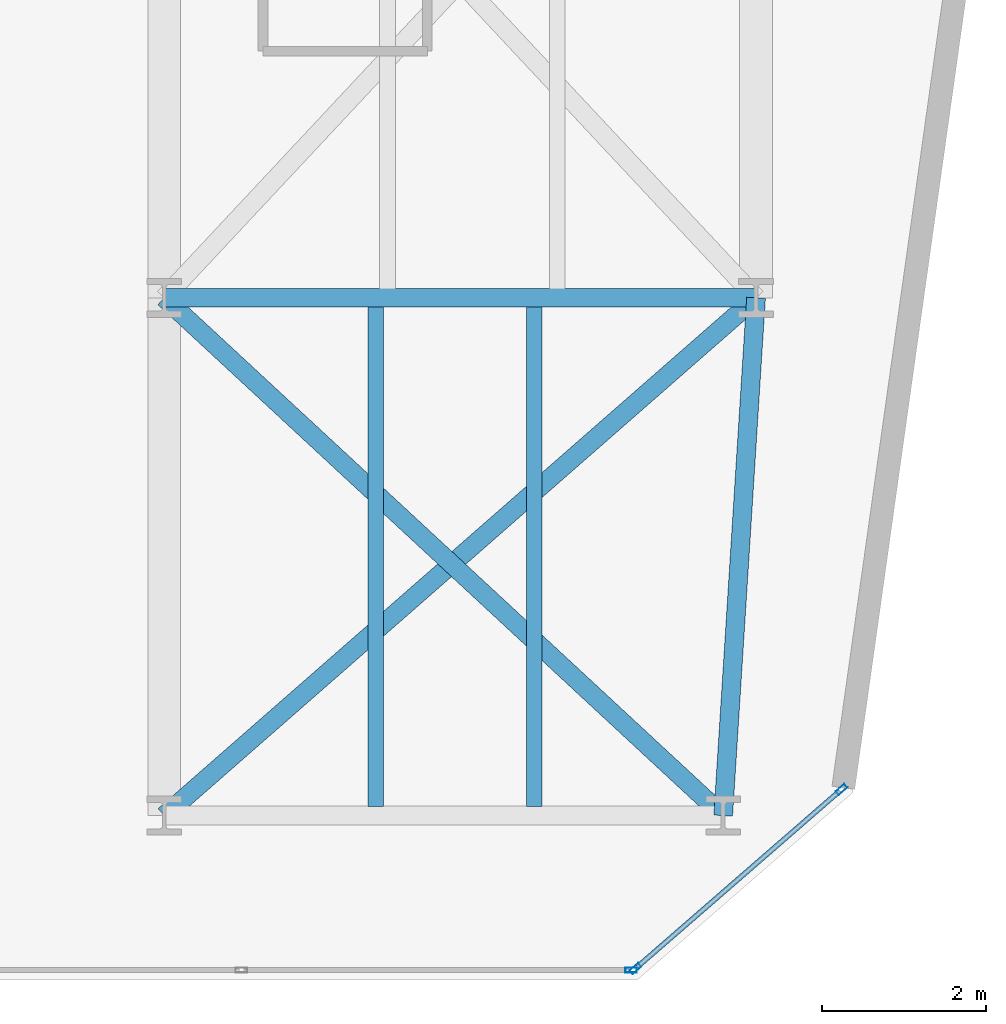
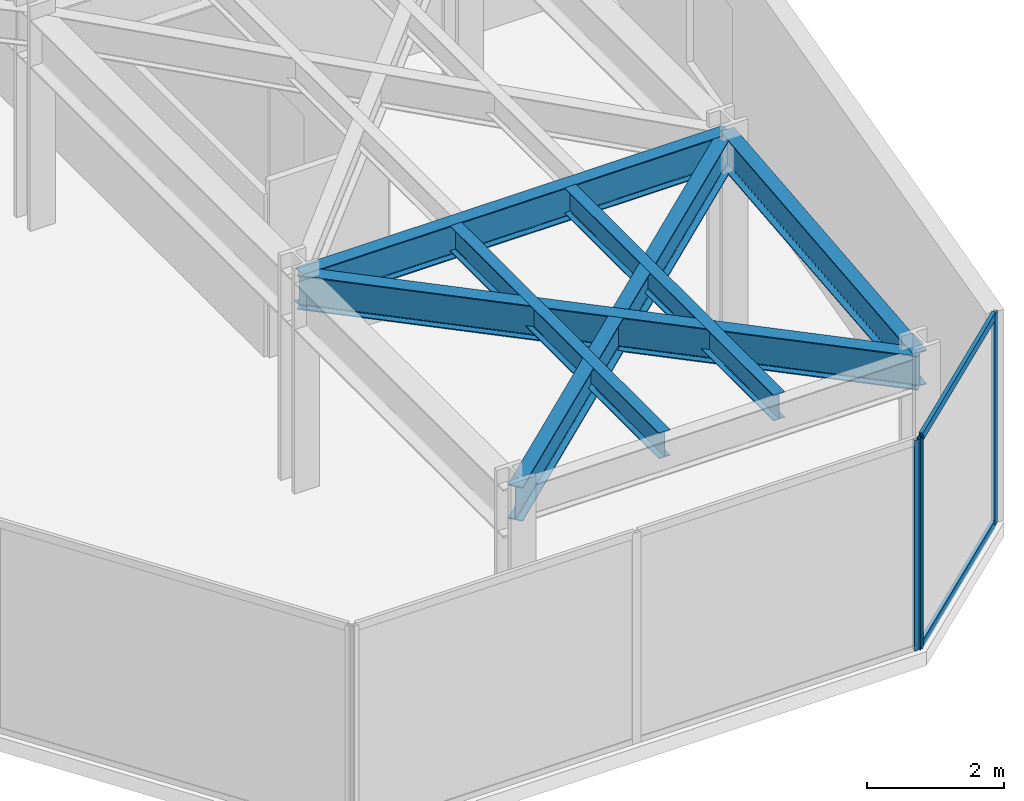
# One storey, part 13 of 20: 6 beams, 5 members, 2 elements without a shape of their own.
"""IFC4 building model written with IfcOpenShell, lengths in metres."""

from ifc_helpers import new_model, si_unit, direction, frame, origin, origin_2d, place, context, subcontext, project, spatial, hollow_rectangle, i_section, extrude, material, layer, layer_set, material_profile, profile_set, type_object, element, aggregate, save


model = new_model("IFC4")

# Units and contexts
model_context = context("Model", 3, precision=1e-05, world=origin(), true_north=direction((0.0, 1.0)))
body_context = subcontext(model_context, "Body", "Model", "MODEL_VIEW")
ifc_project = project(units=[si_unit("LENGTHUNIT", "METRE"), si_unit("AREAUNIT", "SQUARE_METRE"), si_unit("VOLUMEUNIT", "CUBIC_METRE"), si_unit("PLANEANGLEUNIT", "RADIAN"), si_unit("MASSUNIT", "GRAM", prefix="KILO")], contexts=[model_context])

# Site, building, storey
site_placement = place(None, origin())
site = spatial("IfcSite", under=ifc_project, at=site_placement, CompositionType="ELEMENT")
building_placement = place(site_placement, origin())
building = spatial("IfcBuilding", under=site, at=building_placement, Name="Kravanh Interchange Tower", CompositionType="ELEMENT")
storey_placement = place(building_placement, frame((0.0, 0.0, 104.0)))
storey = spatial("IfcBuildingStorey", under=building, at=storey_placement, Name="L24", CompositionType="ELEMENT", Elevation=104.0)

# Curtain wall, members
ifc_material_1 = material(Name="Anodised Bronze Aluminium", Category="aluminium")
ifc_layer = layer(ifc_material_1, 0.179931640625)
ifc_layer_set = layer_set([ifc_layer], Name="Unitised Curtain Wall System CW-Z2 Mid Office")
curtain_wall_type = type_object("IfcCurtainWallType", Name="Unitised Curtain Wall System CW-Z2 Mid Office", PredefinedType="NOTDEFINED", material=ifc_layer_set)
curtain_wall_1_placement = place(storey_placement, origin())
curtain_wall_1 = element("IfcCurtainWall", 1, at=curtain_wall_1_placement, inside=storey, type_object=curtain_wall_type, Name="L24 Unitised Curtain Wall CW-L24-01", PredefinedType="NOTDEFINED")
ifc_material_2 = material(Name="Anodised Bronze Aluminium", Category="aluminium")
ifc_material_profile_1 = material_profile(ifc_material_2, hollow_rectangle(XDim=0.06005859375, YDim=0.139892578125, WallThickness=0.00390625, at=origin_2d()), Name="ALU60X140X4")
ifc_profile_set_1 = profile_set([ifc_material_profile_1], Name="Anodised Bronze Aluminium")
member_type_1 = type_object("IfcMemberType", Name="Curtain Wall Mullion ALU60X140X4 Bronze", PredefinedType="MULLION", material=ifc_profile_set_1)
member_1_placement = place(storey_placement, frame((64.239990234375, 8.51904296875, 0.0), z_axis=(0.0, 0.0, 1.0), x_axis=(0.656047665617, -0.754719458103, 0.0)))
member_1 = element("IfcMember", 2, at=member_1_placement, type_object=member_type_1, Name="CW-Z2 mullion 1", PredefinedType="MULLION", context=body_context, shape_type="SweptSolid", body=[
    extrude(hollow_rectangle(XDim=0.06005859375, YDim=0.139892578125, WallThickness=0.00390625, at=origin_2d()), origin(), (0.0, 0.0, 1.0), 3.75),
])
member_2_placement = place(storey_placement, frame((61.73291015625, 6.339599609375, 0.0), z_axis=(0.0, 0.0, 1.0), x_axis=(0.656047665617, -0.754719458103, 0.0)))
member_2 = element("IfcMember", 3, at=member_2_placement, type_object=member_type_1, Name="CW-Z2 mullion 2", PredefinedType="MULLION", context=body_context, shape_type="SweptSolid", body=[
    extrude(hollow_rectangle(XDim=0.06005859375, YDim=0.139892578125, WallThickness=0.00390625, at=origin_2d()), origin(), (0.0, 0.0, 1.0), 3.75),
])

# Curtain wall, member
curtain_wall_2_placement = place(storey_placement, origin())
curtain_wall_2 = element("IfcCurtainWall", 4, at=curtain_wall_2_placement, inside=storey, type_object=curtain_wall_type, Name="L24 Unitised Curtain Wall CW-L24-02", PredefinedType="NOTDEFINED")
member_3_placement = place(storey_placement, frame((61.68017578125, 6.320068359375, 0.0), z_axis=(0.0, 0.0, 1.0), x_axis=(0.0, -1.0, 0.0)))
member_3 = element("IfcMember", 5, at=member_3_placement, type_object=member_type_1, Name="CW-Z2 mullion 1", PredefinedType="MULLION", context=body_context, shape_type="SweptSolid", body=[
    extrude(hollow_rectangle(XDim=0.06005859375, YDim=0.139892578125, WallThickness=0.00390625, at=origin_2d()), origin(), (0.0, 0.0, 1.0), 3.75),
])
aggregate(curtain_wall_2, [member_3])

# Member
ifc_material_3 = material(Name="Anodised Bronze Aluminium", Category="aluminium")
ifc_material_profile_2 = material_profile(ifc_material_3, hollow_rectangle(XDim=0.06005859375, YDim=0.139892578125, WallThickness=0.00390625, at=origin_2d()), Name="ALU60X140X4")
ifc_profile_set_2 = profile_set([ifc_material_profile_2], Name="Anodised Bronze Aluminium")
member_type_2 = type_object("IfcMemberType", Name="Curtain Wall Transom ALU60X140X4 Bronze", PredefinedType="USERDEFINED", material=ifc_profile_set_2)
member_4_placement = place(storey_placement, frame((64.21728515625, 8.499267578125, 0.030029296875), z_axis=(-0.754742467432, -0.656021194669, 0.0), x_axis=(0.656021194669, -0.754742467432, 0.0)))
member_4 = element("IfcMember", 6, at=member_4_placement, type_object=member_type_2, Name="CW-Z2 transom 1.1", ObjectType="TRANSOM", PredefinedType="USERDEFINED", context=body_context, shape_type="SweptSolid", body=[
    extrude(hollow_rectangle(XDim=0.06005859375, YDim=0.139892578125, WallThickness=0.00390625, at=origin_2d()), origin(), (0.0, 0.0, 1.0), 3.261962890625),
])

member_5_placement = place(storey_placement, frame((64.21728515625, 8.499267578125, 3.719970703125), z_axis=(-0.754742467432, -0.656021194669, 0.0), x_axis=(0.656021194669, -0.754742467432, 0.0)))
member_5 = element("IfcMember", 7, at=member_5_placement, type_object=member_type_2, Name="CW-Z2 transom 1.2", ObjectType="TRANSOM", PredefinedType="USERDEFINED", context=body_context, shape_type="SweptSolid", body=[
    extrude(hollow_rectangle(XDim=0.06005859375, YDim=0.139892578125, WallThickness=0.00390625, at=origin_2d()), origin(), (0.0, 0.0, 1.0), 3.261962890625),
])

aggregate(curtain_wall_1, [member_1, member_2, member_4, member_5])

# Beams
ifc_material_4 = material(Name="Structural Steel S355", Category="steel")
ifc_material_profile_3 = material_profile(ifc_material_4, i_section(OverallWidth=0.18994140625, OverallDepth=0.45703125, WebThickness=0.009033203125, FlangeThickness=0.014404296875, FilletRadius=0.01806640625, at=origin_2d()), Name="W18X50")
ifc_profile_set_3 = profile_set([ifc_material_profile_3], Name="Structural Steel S355")
beam_type_1 = type_object("IfcBeamType", Name="Floor Joist W18X50 Structural Steel S355", PredefinedType="JOIST", material=ifc_profile_set_3)
for number, where, z_axis, x_axis, name in (
    (8, (58.574951171875, 8.30908203125, 3.521484375), (0.0, 1.0, 0.0), (-1.0, 0.0, 0.0), "L24 Secondary Floor Joist 3"),
    (9, (60.5, 8.30908203125, 3.521484375), (0.0, 1.0, 0.0), (-1.0, 0.0, 0.0), "L24 Secondary Floor Joist 4"),
):
    element("IfcBeam", number, at=place(storey_placement, frame(where, z_axis=z_axis, x_axis=x_axis)), inside=storey, type_object=beam_type_1, Name=name, PredefinedType="JOIST", context=body_context, shape_type="SweptSolid", body=[
        extrude(i_section(OverallWidth=0.18994140625, OverallDepth=0.45703125, WebThickness=0.009033203125, FlangeThickness=0.014404296875, FilletRadius=0.01806640625, at=origin_2d()), origin(), (0.0, 0.0, 1.0), 6.08203125),
    ])
ifc_material_5 = material(Name="Structural Steel S355", Category="steel")
ifc_material_profile_4 = material_profile(ifc_material_5, i_section(OverallWidth=0.22802734375, OverallDepth=0.60791015625, WebThickness=0.01123046875, FlangeThickness=0.017333984375, FilletRadius=0.02197265625, at=origin_2d()), Name="W24X76")
ifc_profile_set_4 = profile_set([ifc_material_profile_4], Name="Structural Steel S355")
beam_type_2 = type_object("IfcBeamType", Name="Floor Spandrel W24X76 Structural Steel S355", PredefinedType="SPANDREL", material=ifc_profile_set_4)
beam_1_placement = place(storey_placement, frame((56.0, 8.199951171875, 3.446044921875), z_axis=(0.752571952274, 0.658510027752, 0.0), x_axis=(-0.658510027752, 0.752571952274, 0.0)))
element("IfcBeam", 10, at=beam_1_placement, inside=storey, type_object=beam_type_2, Name="L24 Perimeter Spandrel 97", PredefinedType="SPANDREL", context=body_context, shape_type="SweptSolid", body=[
    extrude(i_section(OverallWidth=0.22802734375, OverallDepth=0.60791015625, WebThickness=0.01123046875, FlangeThickness=0.017333984375, FilletRadius=0.02197265625, at=origin_2d()), origin(), (0.0, 0.0, 1.0), 9.567138671875),
])
beam_2_placement = place(storey_placement, frame((62.800048828125, 8.199951171875, 3.446044921875), z_axis=(0.063348576418, 0.99799146182, 0.0), x_axis=(-0.99799146182, 0.063348576418, 0.0)))
element("IfcBeam", 11, at=beam_2_placement, inside=storey, type_object=beam_type_2, Name="L24 Perimeter Spandrel 98", PredefinedType="SPANDREL", context=body_context, shape_type="SweptSolid", body=[
    extrude(i_section(OverallWidth=0.22802734375, OverallDepth=0.60791015625, WebThickness=0.01123046875, FlangeThickness=0.017333984375, FilletRadius=0.02197265625, at=origin_2d()), origin(), (0.0, 0.0, 1.0), 6.312744140625),
])
beam_3_placement = place(storey_placement, frame((62.800048828125, 8.199951171875, 3.446044921875), z_axis=(-0.733561267923, 0.679623326706, 0.0), x_axis=(-0.679623326706, -0.733561267923, 0.0)))
element("IfcBeam", 12, at=beam_3_placement, inside=storey, type_object=beam_type_2, Name="L24 Perimeter Spandrel 99", PredefinedType="SPANDREL", context=body_context, shape_type="SweptSolid", body=[
    extrude(i_section(OverallWidth=0.22802734375, OverallDepth=0.60791015625, WebThickness=0.01123046875, FlangeThickness=0.017333984375, FilletRadius=0.02197265625, at=origin_2d()), origin(), (0.0, 0.0, 1.0), 9.27001953125),
])
beam_4_placement = place(storey_placement, frame((56.0, 14.5, 3.446044921875), z_axis=(1.0, 0.0, 0.0), x_axis=(0.0, 1.0, 0.0)))
element("IfcBeam", 13, at=beam_4_placement, inside=storey, type_object=beam_type_2, Name="L24 Perimeter Spandrel 103", PredefinedType="SPANDREL", context=body_context, shape_type="SweptSolid", body=[
    extrude(i_section(OverallWidth=0.22802734375, OverallDepth=0.60791015625, WebThickness=0.01123046875, FlangeThickness=0.017333984375, FilletRadius=0.02197265625, at=origin_2d()), origin(), (0.0, 0.0, 1.0), 7.199951171875),
])

save(model, "model.ifc")
